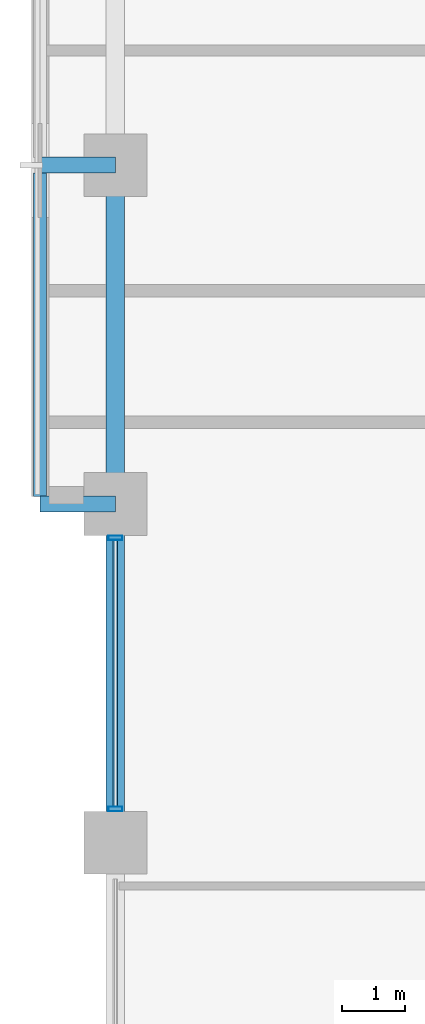
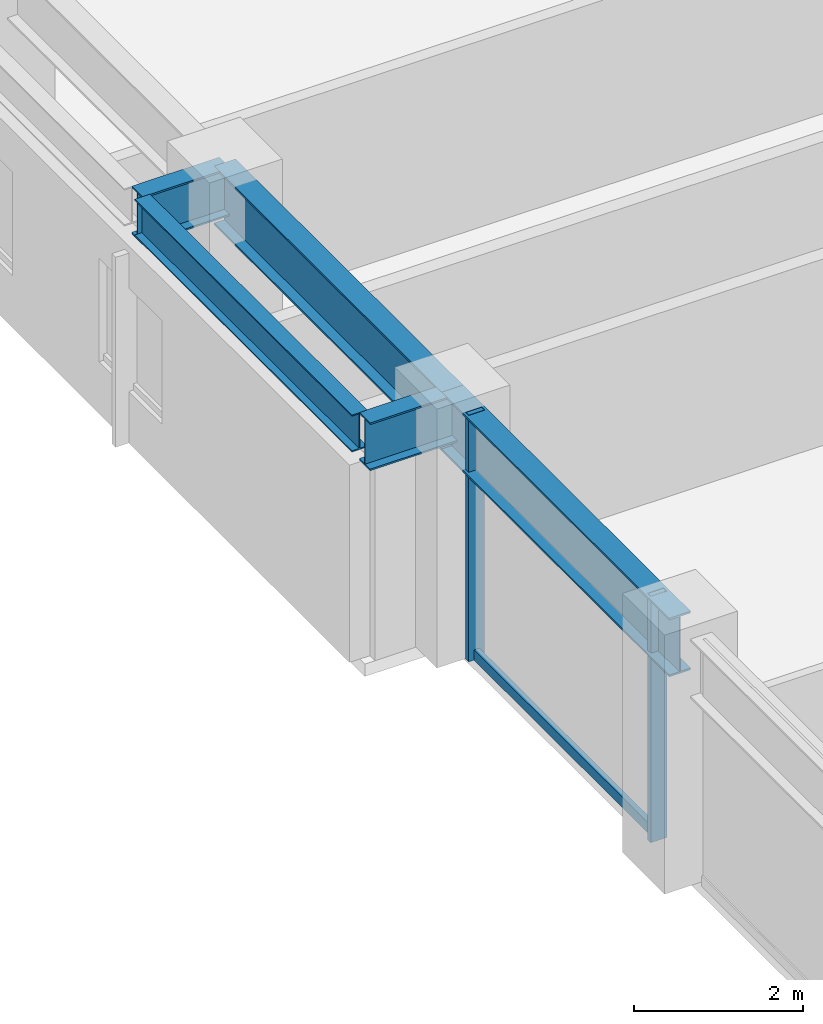
# One storey, part 6 of 26: 5 beams, 3 members, 1 element without a shape of its own.
"""IFC4 building model written with IfcOpenShell, lengths in metres."""

import ifcopenshell
import ifcopenshell.guid

model = None  # the IFC model being written
_history = None  # IfcOwnerHistory: only IFC2X3 demands one
_inside = {}  # id of a spatial element -> (the spatial element, [elements in it])
_under = {}  # id of a project, library or spatial element -> (it, [spatial elements below it])
_declared = {}  # id of a project -> (the project, [libraries it declares])
_typed = {}  # id of a type object -> (the type object, [elements of that type])
_made_of = {}  # id of a material, layer set ... -> (it, [elements and type objects made of it])


def new_model(schema):
    """Start an empty IFC model of exactly this schema.

    Asked for "IFC4X3", IfcOpenShell would pick the latest addendum, in which some entities
    have other attributes; the version numbers below select the first issue.
    IFC2X3 requires an IfcOwnerHistory on every rooted entity: one is made here for all.
    """
    global model, _history
    if schema == "IFC4X3":
        model = ifcopenshell.file(schema_version=(4, 3, 0, 0))
    else:
        model = ifcopenshell.file(schema=schema)
    _inside.clear()
    _under.clear()
    _declared.clear()
    _typed.clear()
    _made_of.clear()
    _history = None
    if model.schema == "IFC2X3":
        org = make("IfcOrganization", Name="unknown")
        user = make(
            "IfcPersonAndOrganization",
            ThePerson=make("IfcPerson", FamilyName="unknown"),
            TheOrganization=org,
        )
        app = make(
            "IfcApplication",
            ApplicationDeveloper=org,
            Version="unknown",
            ApplicationFullName="unknown",
            ApplicationIdentifier="unknown",
        )
        _history = make(
            "IfcOwnerHistory",
            OwningUser=user,
            OwningApplication=app,
            ChangeAction="ADDED",
            CreationDate=0,
        )
    return model


def make(cls, **values):
    """One entity of the class cls with the attributes given. An attribute that is None is left unset."""
    return model.create_entity(
        cls, **{name: value for name, value in values.items() if value is not None}
    )


def rooted(cls, **values):
    """An entity with a GlobalId (a new one), such as an element, a storey or a relation."""
    return make(cls, GlobalId=ifcopenshell.guid.new(), OwnerHistory=_history, **values)


def si_unit(unit_type, name, prefix=None):
    """IfcSIUnit, for example si_unit("LENGTHUNIT", "METRE", prefix="MILLI")."""
    return make("IfcSIUnit", UnitType=unit_type, Prefix=prefix, Name=name)


def assignment(units):
    """IfcUnitAssignment: the units of a project."""
    return None if units is None else make("IfcUnitAssignment", Units=units)


def point(xyz):
    """IfcCartesianPoint."""
    return None if xyz is None else make("IfcCartesianPoint", Coordinates=xyz)


def direction(xyz):
    """IfcDirection."""
    return None if xyz is None else make("IfcDirection", DirectionRatios=xyz)


def frame(location, z_axis=None, x_axis=None):
    """IfcAxis2Placement3D, a coordinate frame: its origin and axes. An axis left out is left unset."""
    return make(
        "IfcAxis2Placement3D",
        Location=point(location),
        Axis=direction(z_axis),
        RefDirection=direction(x_axis),
    )


def frame_2d(location, x_axis=None):
    """IfcAxis2Placement2D, a coordinate frame in the plane: its origin and x axis."""
    return make(
        "IfcAxis2Placement2D", Location=point(location), RefDirection=direction(x_axis)
    )


def origin():
    """The frame at (0, 0, 0) with its axes left unset."""
    return frame((0.0, 0.0, 0.0))


def origin_2d():
    """The frame at (0, 0) in the plane with its x axis left unset."""
    return frame_2d((0.0, 0.0))


def place(relative_to, where):
    """IfcLocalPlacement: puts the frame where relative to a parent placement (None: the world)."""
    return make(
        "IfcLocalPlacement", PlacementRelTo=relative_to, RelativePlacement=where
    )


def context(
    kind, dimensions, precision=None, world=None, true_north=None, identifier=None
):
    """IfcGeometricRepresentationContext, for example the 3D "Model" context."""
    return make(
        "IfcGeometricRepresentationContext",
        ContextIdentifier=identifier,
        ContextType=kind,
        CoordinateSpaceDimension=dimensions,
        Precision=precision,
        WorldCoordinateSystem=world,
        TrueNorth=true_north,
    )


def subcontext(parent, identifier, kind, view, scale=None):
    """IfcGeometricRepresentationSubContext, for example "Body" below "Model"."""
    return make(
        "IfcGeometricRepresentationSubContext",
        ContextIdentifier=identifier,
        ContextType=kind,
        ParentContext=parent,
        TargetScale=scale,
        TargetView=view,
    )


def project(units=None, contexts=None):
    """IfcProject with its units and contexts."""
    return rooted(
        "IfcProject",
        Name="project",
        RepresentationContexts=contexts,
        UnitsInContext=assignment(units),
    )


def spatial(cls, under=None, at=None, **own):
    """A site, building, storey or space (cls), placed at a placement, below another one or the project."""
    s = rooted(cls, ObjectPlacement=at, **own)
    if under is not None:
        _under.setdefault(under.id(), (under, []))[1].append(s)
    return s


def profile(cls, at=None, kind="AREA", **sizes):
    """A parametric profile (cls). Its sizes go by their IFC names, for example OverallWidth=200.0."""
    return make(cls, ProfileType=kind, Position=at, **sizes)


def hollow_rectangle(**sizes):
    """IfcRectangleHollowProfileDef."""
    return profile("IfcRectangleHollowProfileDef", **sizes)


def i_section(**sizes):
    """IfcIShapeProfileDef."""
    return profile("IfcIShapeProfileDef", **sizes)


def extrude(swept, where, along, depth):
    """IfcExtrudedAreaSolid: the profile swept, set in the frame where, extruded along a direction by depth."""
    return make(
        "IfcExtrudedAreaSolid",
        SweptArea=swept,
        Position=where,
        ExtrudedDirection=direction(along),
        Depth=depth,
    )


def shape(context_of_items, identifier, shape_type, items):
    """IfcShapeRepresentation: the items that make up one representation, for example the "Body"."""
    return make(
        "IfcShapeRepresentation",
        ContextOfItems=context_of_items,
        RepresentationIdentifier=identifier,
        RepresentationType=shape_type,
        Items=items,
    )


def material(Name=None, Category=None):
    """IfcMaterial."""
    return make("IfcMaterial", Name=Name, Category=Category)


def layer(
    of_material, thickness, ventilated=None, Name=None, Category=None, Priority=None
):
    """IfcMaterialLayer: one layer of a wall or slab, of a material (None: an air gap)."""
    return make(
        "IfcMaterialLayer",
        Material=of_material,
        LayerThickness=thickness,
        IsVentilated=ventilated,
        Name=Name,
        Category=Category,
        Priority=Priority,
    )


def layer_set(layers, Name=None):
    """IfcMaterialLayerSet."""
    return make("IfcMaterialLayerSet", MaterialLayers=layers, LayerSetName=Name)


def material_profile(
    of_material, cross_section, Name=None, Category=None, Priority=None
):
    """IfcMaterialProfile: a cross section and its material."""
    return make(
        "IfcMaterialProfile",
        Name=Name,
        Material=of_material,
        Profile=cross_section,
        Priority=Priority,
        Category=Category,
    )


def profile_set(profiles, Name=None, composite=None):
    """IfcMaterialProfileSet."""
    return make(
        "IfcMaterialProfileSet",
        Name=Name,
        MaterialProfiles=profiles,
        CompositeProfile=composite,
    )


def made_of(thing, what):
    """Note that an element or type object is made of a material, layer set ...; save() writes the relation."""
    if what is not None:
        _made_of.setdefault(what.id(), (what, []))[1].append(thing)
    return thing


def type_object(cls, material=None, **own):
    """A type object (cls), such as IfcWallType, which elements share."""
    return made_of(rooted(cls, **own), material)


def element(
    cls,
    number,
    at=None,
    inside=None,
    cuts=None,
    type_object=None,
    material=None,
    context=None,
    identifier="Body",
    shape_type=None,
    held_by="IfcProductDefinitionShape",
    body=None,
    shapes=None,
    **own,
):
    """One element of the class cls, such as IfcWall. Its Tag is "e" and its number.

    at: its placement. inside: the storey or other place that contains it. cuts: it is an
    opening in that element (IfcRelVoidsElement). A single representation is given by context,
    identifier, shape_type and body (its items); several are given by shapes. held_by: the class
    of the entity that holds the representations. save() writes the other relations.
    """
    e = rooted(cls, Tag="e%d" % number, ObjectPlacement=at, **own)
    if body is not None:
        shapes = [shape(context, identifier, shape_type, body)]
    if shapes is not None:
        e.Representation = make(held_by, Representations=shapes)
    if inside is not None:
        _inside.setdefault(inside.id(), (inside, []))[1].append(e)
    if cuts is not None:
        rooted(
            "IfcRelVoidsElement", RelatingBuildingElement=cuts, RelatedOpeningElement=e
        )
    if type_object is not None:
        _typed.setdefault(type_object.id(), (type_object, []))[1].append(e)
    return made_of(e, material)


def aggregate(whole, parts):
    """IfcRelAggregates: a whole, such as a stair, and the parts it consists of."""
    return rooted("IfcRelAggregates", RelatingObject=whole, RelatedObjects=parts)


def save(model, path):
    """Write the relations noted so far, then the file.

    IfcRelAggregates (storeys below a building ...), IfcRelContainedInSpatialStructure (elements
    in a storey), IfcRelDefinesByType, IfcRelAssociatesMaterial and IfcRelDeclares: one each for
    every whole, place, type object, material and project.
    """
    for whole, parts in _under.values():
        aggregate(whole, parts)
    for where, things in _inside.values():
        rooted(
            "IfcRelContainedInSpatialStructure",
            RelatedElements=things,
            RelatingStructure=where,
        )
    for kind, things in _typed.values():
        rooted("IfcRelDefinesByType", RelatedObjects=things, RelatingType=kind)
    for what, things in _made_of.values():
        rooted("IfcRelAssociatesMaterial", RelatedObjects=things, RelatingMaterial=what)
    for by, libraries in _declared.values():
        rooted("IfcRelDeclares", RelatingContext=by, RelatedDefinitions=libraries)
    model.write(path)


model = new_model("IFC4")

# Units and contexts
model_context = context("Model", 3, precision=1e-05, world=origin(), true_north=direction((0.0, 1.0)))
body_context = subcontext(model_context, "Body", "Model", "MODEL_VIEW")
ifc_project = project(units=[si_unit("LENGTHUNIT", "METRE"), si_unit("AREAUNIT", "SQUARE_METRE"), si_unit("VOLUMEUNIT", "CUBIC_METRE"), si_unit("PLANEANGLEUNIT", "RADIAN"), si_unit("MASSUNIT", "GRAM", prefix="KILO")], contexts=[model_context])

# Site, building, storey
site_placement = place(None, origin())
site = spatial("IfcSite", under=ifc_project, at=site_placement, CompositionType="ELEMENT")
building_placement = place(site_placement, origin())
building = spatial("IfcBuilding", under=site, at=building_placement, Name="Surkhivell Harbour Commons", CompositionType="ELEMENT")
storey_placement = place(building_placement, frame((0.0, 0.0, 147.0)))
storey = spatial("IfcBuildingStorey", under=building, at=storey_placement, Name="L38", CompositionType="ELEMENT", Elevation=147.0)

# Beams
ifc_material_1 = material(Name="Steel S460", Category="steel")
ifc_material_profile_1 = material_profile(ifc_material_1, i_section(OverallWidth=0.256103515625, OverallDepth=0.693115234375, WebThickness=0.014404296875, FlangeThickness=0.023681640625, at=origin_2d()), Name="UB686x254x170")
ifc_profile_set_1 = profile_set([ifc_material_profile_1], Name="Steel S460")
beam_type_1 = type_object("IfcBeamType", Name="BM-CNT-686", PredefinedType="BEAM", material=ifc_profile_set_1)
for number, where, z_axis, x_axis, name in (
    (1, (-32.39990234375, 0.0, 3.223388671875), (-1.0, 0.0, 0.0), (0.0, -1.0, 0.0), "L38 Box Cantilever Outrigger (-32.4,0.0)"),
    (2, (-32.39990234375, 5.39990234375, 3.223388671875), (-1.0, 0.0, 0.0), (0.0, -1.0, 0.0), "L38 Box Cantilever Outrigger (-32.4,5.4)"),
):
    element("IfcBeam", number, at=place(storey_placement, frame(where, z_axis=z_axis, x_axis=x_axis)), inside=storey, type_object=beam_type_1, Name=name, PredefinedType="BEAM", context=body_context, shape_type="SweptSolid", body=[
        extrude(i_section(OverallWidth=0.256103515625, OverallDepth=0.693115234375, WebThickness=0.014404296875, FlangeThickness=0.023681640625, at=origin_2d()), origin(), (0.0, 0.0, 1.0), 1.2001953125),
    ])
ifc_material_2 = material(Name="Steel S355", Category="steel")
ifc_material_profile_2 = material_profile(ifc_material_2, i_section(OverallWidth=0.2099609375, OverallDepth=0.537109375, WebThickness=0.0107421875, FlangeThickness=0.017333984375, at=origin_2d()), Name="UB533x210x101")
ifc_profile_set_2 = profile_set([ifc_material_profile_2], Name="Steel S355")
beam_type_2 = type_object("IfcBeamType", Name="BM-GRD-533B", PredefinedType="BEAM", material=ifc_profile_set_2)
beam_placement = place(storey_placement, frame((-33.60009765625, 0.1220703125, 3.301513671875), z_axis=(0.0, 1.0, 0.0), x_axis=(-1.0, 0.0, 0.0)))
element("IfcBeam", 3, at=beam_placement, inside=storey, type_object=beam_type_2, Name="L38 Box Rim Spandrel (-33.6,0.0)", PredefinedType="BEAM", context=body_context, shape_type="SweptSolid", body=[
    extrude(i_section(OverallWidth=0.2099609375, OverallDepth=0.537109375, WebThickness=0.0107421875, FlangeThickness=0.017333984375, at=origin_2d()), origin(), (0.0, 0.0, 1.0), 5.156005859375),
])
ifc_material_profile_3 = material_profile(ifc_material_1, i_section(OverallWidth=0.2939453125, OverallDepth=0.85107421875, WebThickness=0.01611328125, FlangeThickness=0.02685546875, at=origin_2d()), Name="UB838x292x226")
ifc_profile_set_3 = profile_set([ifc_material_profile_3], Name="Steel S460")
beam_type_3 = type_object("IfcBeamType", Name="BM-SPN-838", PredefinedType="SPANDREL", material=ifc_profile_set_3)
for number, where, z_axis, x_axis, name in (
    (4, (-32.39990234375, -5.39990234375, 3.14453125), (0.0, 1.0, 0.0), (-1.0, 0.0, 0.0), "L38 Tube Spandrel (-32.4,-5.4)"),
    (5, (-32.39990234375, 0.0, 3.14453125), (0.0, 1.0, 0.0), (-1.0, 0.0, 0.0), "L38 Tube Spandrel (-32.4,0.0)"),
):
    element("IfcBeam", number, at=place(storey_placement, frame(where, z_axis=z_axis, x_axis=x_axis)), inside=storey, type_object=beam_type_3, Name=name, PredefinedType="SPANDREL", context=body_context, shape_type="SweptSolid", body=[
        extrude(i_section(OverallWidth=0.2939453125, OverallDepth=0.85107421875, WebThickness=0.01611328125, FlangeThickness=0.02685546875, at=origin_2d()), origin(), (0.0, 0.0, 1.0), 5.39990234375),
    ])

# Curtain wall, members
ifc_material_3 = material(Name="Anodised pale-metal aluminium and insulated glazing", Category="aluminium")
ifc_layer = layer(ifc_material_3, 0.205078125)
ifc_layer_set = layer_set([ifc_layer], Name="Anodised pale-metal aluminium and insulated glazing")
curtain_wall_type = type_object("IfcCurtainWallType", Name="CW-SYS-Z2", PredefinedType="NOTDEFINED", material=ifc_layer_set)
curtain_wall_placement = place(storey_placement, origin())
curtain_wall = element("IfcCurtainWall", 6, at=curtain_wall_placement, inside=storey, type_object=curtain_wall_type, Name="L38 Curtain Wall CW-L38-E12R1S2", PredefinedType="NOTDEFINED")
ifc_material_4 = material(Name="Anodised pale-metal aluminium alloy 6063-T6", Category="aluminium")
ifc_material_profile_4 = material_profile(ifc_material_4, hollow_rectangle(XDim=0.074951171875, YDim=0.219970703125, WallThickness=0.00390625, at=origin_2d()), Name="ALU-MULL-75x220")
ifc_profile_set_4 = profile_set([ifc_material_profile_4], Name="Anodised pale-metal aluminium alloy 6063-T6")
member_type_1 = type_object("IfcMemberType", Name="CWM-220", PredefinedType="MULLION", material=ifc_profile_set_4)
member_1_placement = place(storey_placement, frame((-32.39990234375, -4.860595703125, 0.0), z_axis=(0.0, 0.0, 1.0), x_axis=(0.0, 1.0, 0.0)))
member_1 = element("IfcMember", 7, at=member_1_placement, type_object=member_type_1, Name="CW-Z2 mullion 2", PredefinedType="MULLION", context=body_context, shape_type="SweptSolid", body=[
    extrude(hollow_rectangle(XDim=0.074951171875, YDim=0.219970703125, WallThickness=0.00390625, at=origin_2d()), origin(), (0.0, 0.0, 1.0), 3.570068359375),
])
member_2_placement = place(storey_placement, frame((-32.39990234375, -0.53955078125, 0.0), z_axis=(0.0, 0.0, 1.0), x_axis=(0.0, 1.0, 0.0)))
member_2 = element("IfcMember", 8, at=member_2_placement, type_object=member_type_1, Name="CW-Z2 mullion 3", PredefinedType="MULLION", context=body_context, shape_type="SweptSolid", body=[
    extrude(hollow_rectangle(XDim=0.074951171875, YDim=0.219970703125, WallThickness=0.00390625, at=origin_2d()), origin(), (0.0, 0.0, 1.0), 3.570068359375),
])
ifc_material_profile_5 = material_profile(ifc_material_4, hollow_rectangle(XDim=0.074951171875, YDim=0.14990234375, WallThickness=0.00341796875, at=origin_2d()), Name="ALU-TRAN-75x150")
ifc_profile_set_5 = profile_set([ifc_material_profile_5], Name="Anodised pale-metal aluminium alloy 6063-T6")
member_type_2 = type_object("IfcMemberType", Name="CWT-150", PredefinedType="USERDEFINED", material=ifc_profile_set_5)
member_3_placement = place(storey_placement, frame((-32.39990234375, -4.822998046875, 0.074951171875), z_axis=(0.0, 1.0, 0.0), x_axis=(-1.0, 0.0, 0.0)))
member_3 = element("IfcMember", 9, at=member_3_placement, type_object=member_type_2, Name="CW-Z2 transom 2.1", ObjectType="TRANSOM", PredefinedType="USERDEFINED", context=body_context, shape_type="SweptSolid", body=[
    extrude(hollow_rectangle(XDim=0.074951171875, YDim=0.14990234375, WallThickness=0.00341796875, at=origin_2d()), origin(), (0.0, 0.0, 1.0), 4.24609375),
])
aggregate(curtain_wall, [member_1, member_2, member_3])

save(model, "model.ifc")
